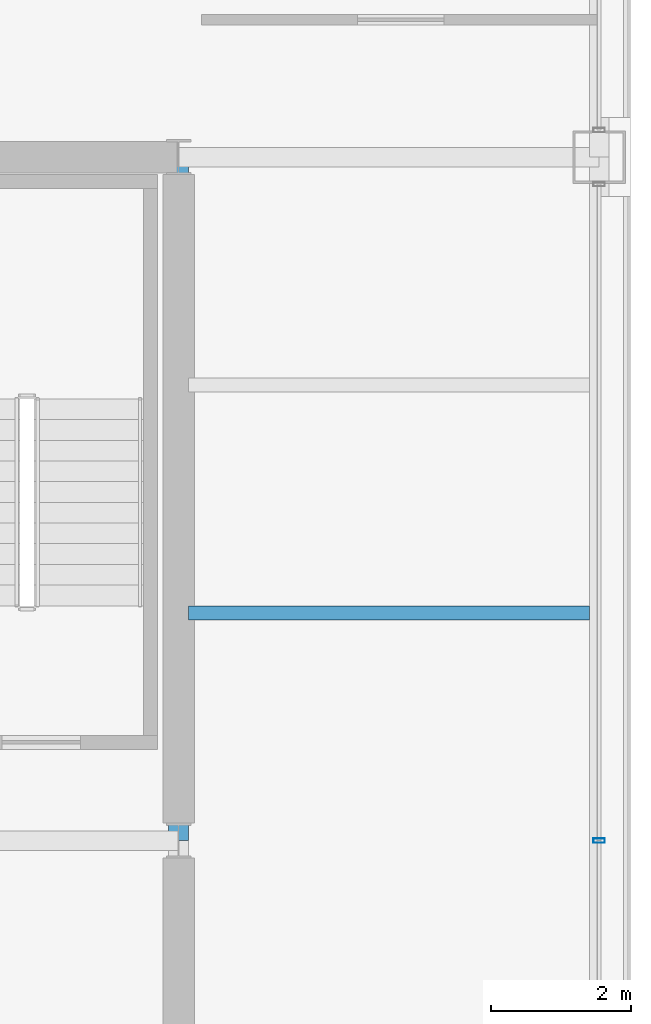
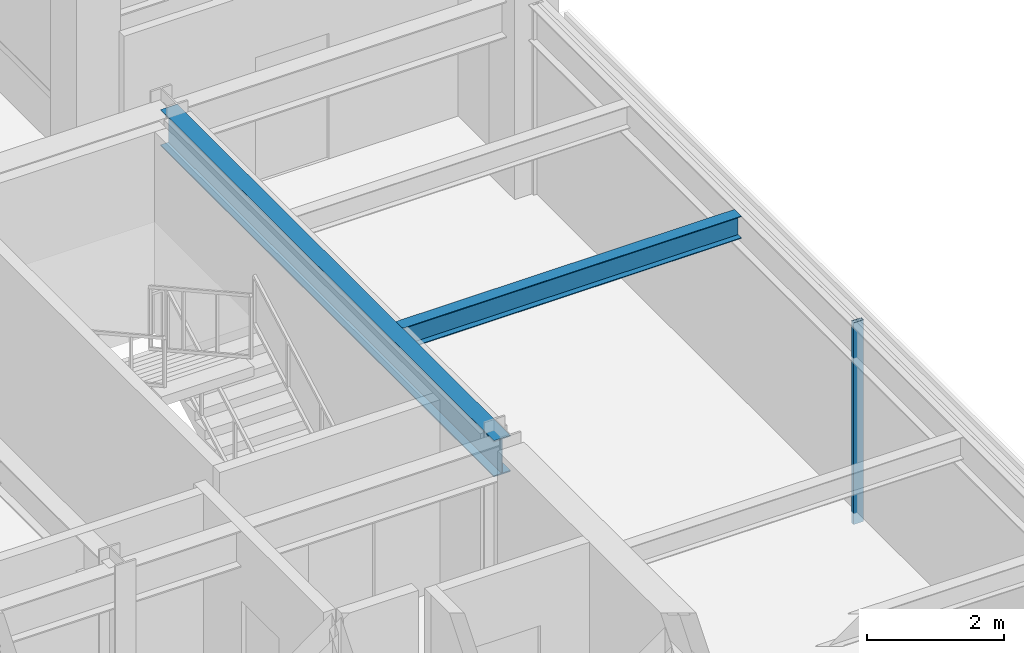
# One storey, part 16 of 31: 2 beams, 1 member, 1 element without a shape of its own.
"""IFC4 building model written with IfcOpenShell, lengths in metres."""

from ifc_helpers import new_model, si_unit, direction, frame, origin, origin_2d, place, context, subcontext, project, spatial, hollow_rectangle, i_section, extrude, material, layer, layer_set, material_profile, profile_set, type_object, element, aggregate, save


model = new_model("IFC4")

# Units and contexts
model_context = context("Model", 3, precision=1e-05, world=origin(), true_north=direction((0.0, 1.0)))
body_context = subcontext(model_context, "Body", "Model", "MODEL_VIEW")
ifc_project = project(units=[si_unit("LENGTHUNIT", "METRE"), si_unit("AREAUNIT", "SQUARE_METRE"), si_unit("VOLUMEUNIT", "CUBIC_METRE"), si_unit("PLANEANGLEUNIT", "RADIAN"), si_unit("MASSUNIT", "GRAM", prefix="KILO")], contexts=[model_context])

# Site, building, storey
site_placement = place(None, origin())
site = spatial("IfcSite", under=ifc_project, at=site_placement, CompositionType="ELEMENT")
building_placement = place(site_placement, origin())
building = spatial("IfcBuilding", under=site, at=building_placement, Name="Brelmoor Portico Tower", CompositionType="ELEMENT")
storey_placement = place(building_placement, frame((0.0, 0.0, 176.699951171875)))
storey = spatial("IfcBuildingStorey", under=building, at=storey_placement, Name="L46", CompositionType="ELEMENT", Elevation=176.699951171875)

# Beams
ifc_material_1 = material(Name="Steel Q355B", Category="steel")
ifc_material_profile_1 = material_profile(ifc_material_1, i_section(OverallWidth=0.199951171875, OverallDepth=0.39990234375, WebThickness=0.008056640625, FlangeThickness=0.012939453125, at=origin_2d()), Name="HN 400x200x8x13")
ifc_profile_set_1 = profile_set([ifc_material_profile_1], Name="Steel Q355B")
beam_type_1 = type_object("IfcBeamType", Name="BM-JS-400", PredefinedType="JOIST", material=ifc_profile_set_1)
beam_1_placement = place(storey_placement, frame((14.68994140625, 3.25, 3.199951171875), z_axis=(1.0, 0.0, 0.0), x_axis=(0.0, 1.0, 0.0)))
element("IfcBeam", 1, at=beam_1_placement, inside=storey, type_object=beam_type_1, Name="L46 Secondary Wing Joist JS-E11", PredefinedType="JOIST", context=body_context, shape_type="SweptSolid", body=[
    extrude(i_section(OverallWidth=0.199951171875, OverallDepth=0.39990234375, WebThickness=0.008056640625, FlangeThickness=0.012939453125, at=origin_2d()), origin(), (0.0, 0.0, 1.0), 5.719970703125),
])
ifc_material_profile_2 = material_profile(ifc_material_1, i_section(OverallWidth=0.280029296875, OverallDepth=0.64990234375, WebThickness=0.012939453125, FlangeThickness=0.02197265625, at=origin_2d()), Name="HN 650x280x13x22")
ifc_profile_set_2 = profile_set([ifc_material_profile_2], Name="Steel Q355B")
beam_type_2 = type_object("IfcBeamType", Name="BM-PG-650", PredefinedType="BEAM", material=ifc_profile_set_2)
beam_2_placement = place(storey_placement, frame((14.550048828125, 0.0, 3.074951171875), z_axis=(0.0, 1.0, 0.0), x_axis=(-1.0, 0.0, 0.0)))
element("IfcBeam", 2, at=beam_2_placement, inside=storey, type_object=beam_type_2, Name="L46 Primary Floor Girder PG-10", PredefinedType="BEAM", context=body_context, shape_type="SweptSolid", body=[
    extrude(i_section(OverallWidth=0.280029296875, OverallDepth=0.64990234375, WebThickness=0.012939453125, FlangeThickness=0.02197265625, at=origin_2d()), origin(), (0.0, 0.0, 1.0), 9.75),
])

# Curtain wall, member
ifc_material_2 = material(Name="Anodised Aluminium Alloy 6063-T6", Category="aluminium")
ifc_layer = layer(ifc_material_2, 0.179931640625)
ifc_layer_set = layer_set([ifc_layer], Name="Anodised Aluminium Alloy 6063-T6")
curtain_wall_type = type_object("IfcCurtainWallType", Name="CW-TOWER-Z3-XB", PredefinedType="NOTDEFINED", material=ifc_layer_set)
curtain_wall_placement = place(storey_placement, origin())
curtain_wall = element("IfcCurtainWall", 3, at=curtain_wall_placement, inside=storey, type_object=curtain_wall_type, Name="L46 Curtain Wall CW-L46-04-2", PredefinedType="NOTDEFINED")
ifc_material_profile_3 = material_profile(ifc_material_2, hollow_rectangle(XDim=0.06494140625, YDim=0.1650390625, WallThickness=0.00390625, at=origin_2d()), Name="ALU MULLION 65x165")
ifc_profile_set_3 = profile_set([ifc_material_profile_3], Name="Anodised Aluminium Alloy 6063-T6")
member_type = type_object("IfcMemberType", Name="MB-CW-MULL-165", PredefinedType="MULLION", material=ifc_profile_set_3)
member_placement = place(storey_placement, frame((20.550048828125, 0.0, -0.199951171875), z_axis=(0.0, 0.0, 1.0), x_axis=(0.0, 1.0, 0.0)))
member = element("IfcMember", 4, at=member_placement, type_object=member_type, Name="CW-L46-04-2 Mullion 01", PredefinedType="MULLION", context=body_context, shape_type="SweptSolid", body=[
    extrude(hollow_rectangle(XDim=0.06494140625, YDim=0.1650390625, WallThickness=0.00390625, at=origin_2d()), origin(), (0.0, 0.0, 1.0), 3.60009765625),
])
aggregate(curtain_wall, [member])

save(model, "model.ifc")
